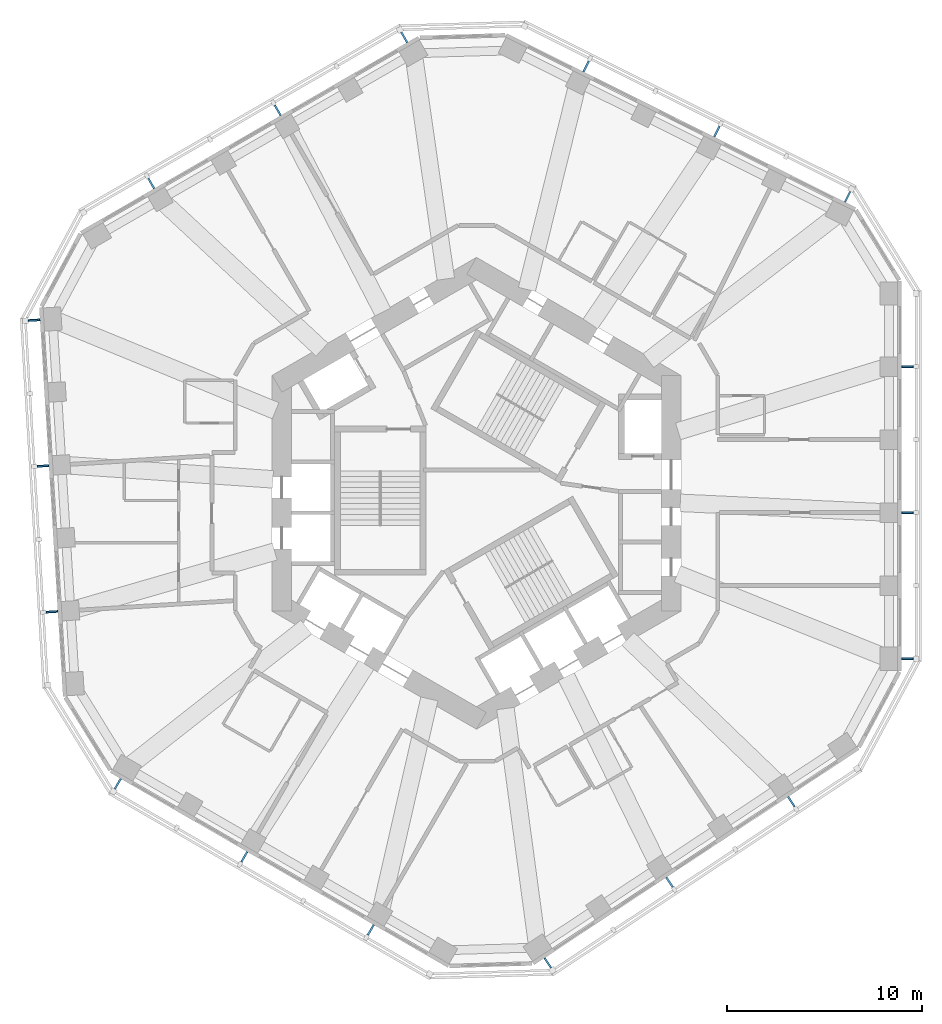
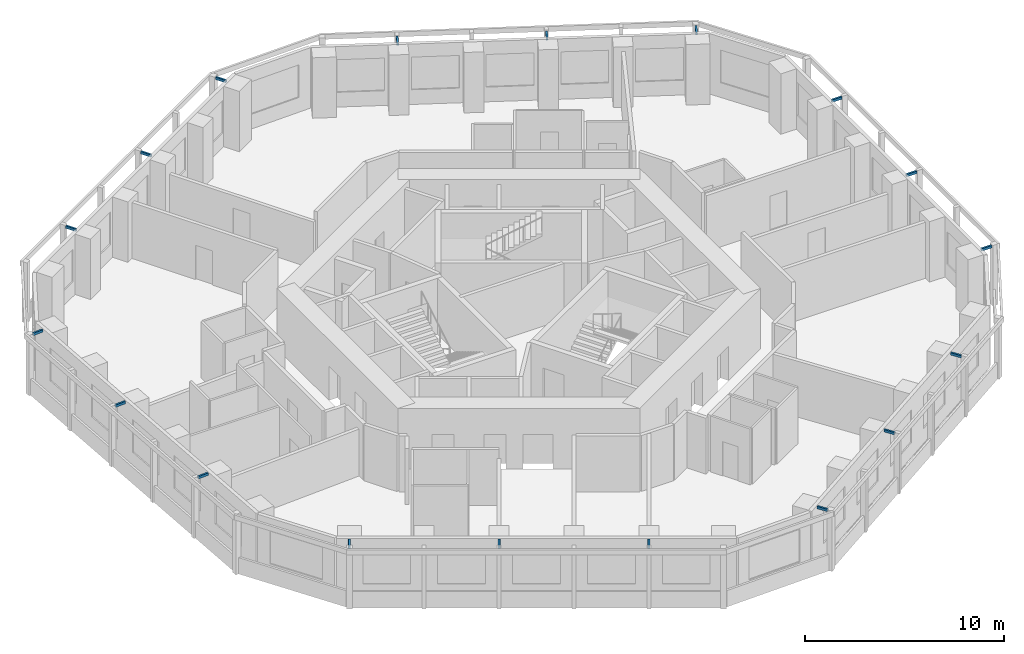
# One storey, part 10 of 11: 18 discrete accessories.
"""IFC4 building model written with IfcOpenShell, lengths in metres."""

from ifc_helpers import new_model, si_unit, direction, frame, origin, origin_2d, place, context, subcontext, project, spatial, rectangle, extrude, material, type_object, element, save


model = new_model("IFC4")

# Units and contexts
model_context = context("Model", 3, precision=1e-05, world=origin(), true_north=direction((0.0, 1.0)))
body_context = subcontext(model_context, "Body", "Model", "MODEL_VIEW")
ifc_project = project(units=[si_unit("LENGTHUNIT", "METRE"), si_unit("AREAUNIT", "SQUARE_METRE"), si_unit("VOLUMEUNIT", "CUBIC_METRE"), si_unit("PLANEANGLEUNIT", "RADIAN"), si_unit("MASSUNIT", "GRAM", prefix="KILO")], contexts=[model_context])

# Site, building, storey
site_placement = place(None, origin())
site = spatial("IfcSite", under=ifc_project, at=site_placement, CompositionType="ELEMENT")
building_placement = place(site_placement, origin())
building = spatial("IfcBuilding", under=site, at=building_placement, Name="Vanh Sen Convention Tower", CompositionType="ELEMENT")
storey_placement = place(building_placement, frame((0.0, 0.0, 168.800048828125)))
storey = spatial("IfcBuildingStorey", under=building, at=storey_placement, Name="L41", CompositionType="ELEMENT", Elevation=168.800048828125)

# Discrete accessories
ifc_material = material(Name="Steel S355", Category="steel")
discrete_accessory_type = type_object("IfcDiscreteAccessoryType", Name="Fin bracket 100 x 150", PredefinedType="BRACKET", material=ifc_material)
for number, where, z_axis, x_axis, name in (
    (1, (22.14990234375, -8.5009765625, 3.5), (0.0, 0.0, 1.0), (1.0, 0.0, 0.0), "Fin bracket E-1 L41"),
    (2, (22.14990234375, -0.992919921875, 3.5), (0.0, 0.0, 1.0), (1.0, 0.0, 0.0), "Fin bracket E-3 L41"),
    (3, (22.14990234375, 6.515380859375, 3.5), (0.0, 0.0, 1.0), (1.0, 0.0, 0.0), "Fin bracket E-5 L41"),
    (4, (19.073974609375, 15.240478515625, 3.5), (0.0, 0.0, 1.0), (0.44619781311, 0.894934361602, 0.0), "Fin bracket NE-1 L41"),
    (5, (12.3544921875, 18.5908203125, 3.5), (0.0, 0.0, 1.0), (0.44619781311, 0.894934361602, 0.0), "Fin bracket NE-3 L41"),
    (6, (5.635009765625, 21.94091796875, 3.5), (0.0, 0.0, 1.0), (0.44619781311, 0.894934361602, 0.0), "Fin bracket NE-5 L41"),
    (7, (-3.712890625, 23.432861328125, 3.5), (0.0, 0.0, 1.0), (-0.5, 0.866025403784, 0.0), "Fin bracket NW-1 L41"),
    (8, (-10.215087890625, 19.6787109375, 3.5), (0.0, 0.0, 1.0), (-0.5, 0.866025403784, 0.0), "Fin bracket NW-3 L41"),
    (9, (-16.717529296875, 15.9248046875, 3.5), (0.0, 0.0, 1.0), (-0.5, 0.866025403784, 0.0), "Fin bracket NW-5 L41"),
    (10, (-22.735595703125, 8.898193359375, 3.5), (0.0, 0.0, 1.0), (-0.998134798422, -0.061048539535, 0.0), "Fin bracket W-1 L41"),
    (11, (-22.277099609375, 1.40380859375, 3.5), (0.0, 0.0, 1.0), (-0.998134798422, -0.061048539535, 0.0), "Fin bracket W-3 L41"),
    (12, (-21.81884765625, -6.09033203125, 3.5), (0.0, 0.0, 1.0), (-0.998134798422, -0.061048539535, 0.0), "Fin bracket W-5 L41"),
    (13, (-18.43701171875, -14.931884765625, 3.5), (0.0, 0.0, 1.0), (-0.5, -0.866025403784, 0.0), "Fin bracket SW-1 L41"),
    (14, (-11.934814453125, -18.68603515625, 3.5), (0.0, 0.0, 1.0), (-0.5, -0.866025403784, 0.0), "Fin bracket SW-3 L41"),
    (15, (-5.4326171875, -22.440185546875, 3.5), (0.0, 0.0, 1.0), (-0.5, -0.866025403784, 0.0), "Fin bracket SW-5 L41"),
    (16, (3.66162109375, -24.138671875, 3.5), (0.0, 0.0, 1.0), (0.551936985312, -0.833885822067, 0.0), "Fin bracket SE-1 L41"),
    (17, (9.922607421875, -19.99462890625, 3.5), (0.0, 0.0, 1.0), (0.551936985312, -0.833885822067, 0.0), "Fin bracket SE-3 L41"),
    (18, (16.18359375, -15.8505859375, 3.5), (0.0, 0.0, 1.0), (0.551936985312, -0.833885822067, 0.0), "Fin bracket SE-5 L41"),
):
    element("IfcDiscreteAccessory", number, at=place(storey_placement, frame(where, z_axis=z_axis, x_axis=x_axis)), inside=storey, type_object=discrete_accessory_type, Name=name, PredefinedType="BRACKET", context=body_context, shape_type="SweptSolid", body=[
        extrude(rectangle(XDim=0.60009765625, YDim=0.10009765625, at=origin_2d()), origin(), (0.0, 0.0, 1.0), 0.14990234375),
    ])

save(model, "model.ifc")
